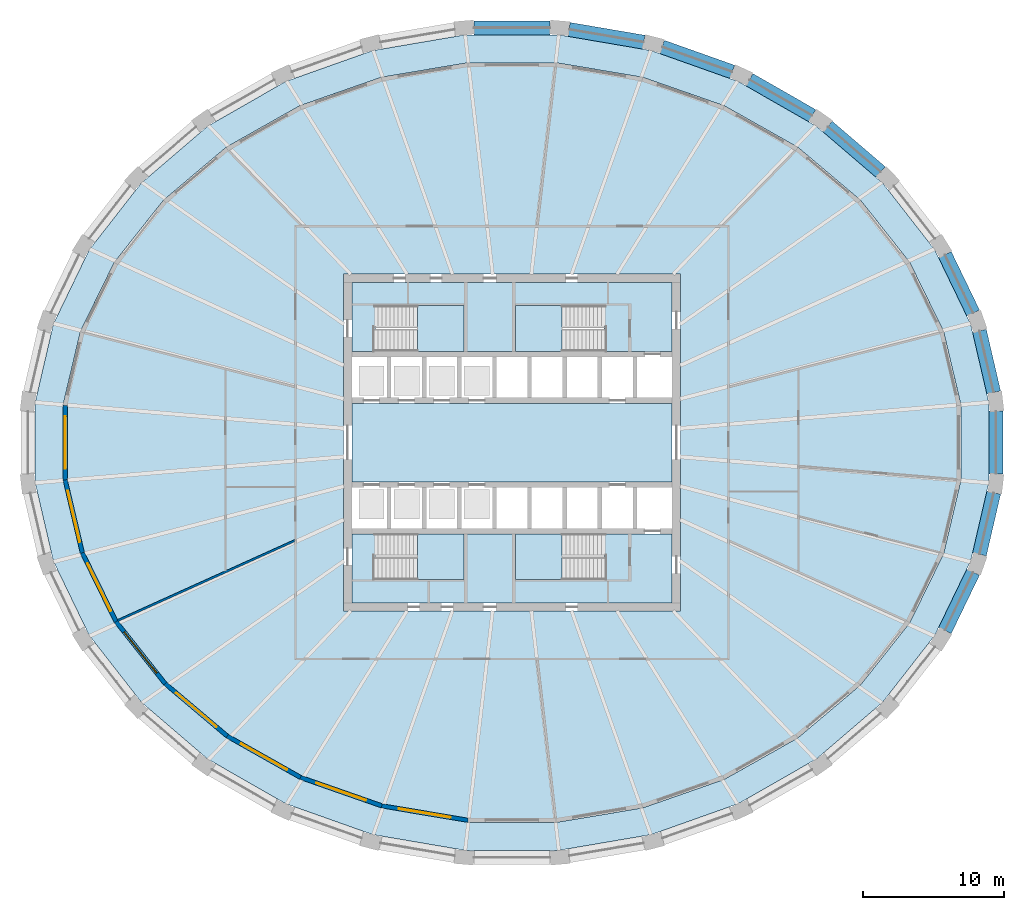
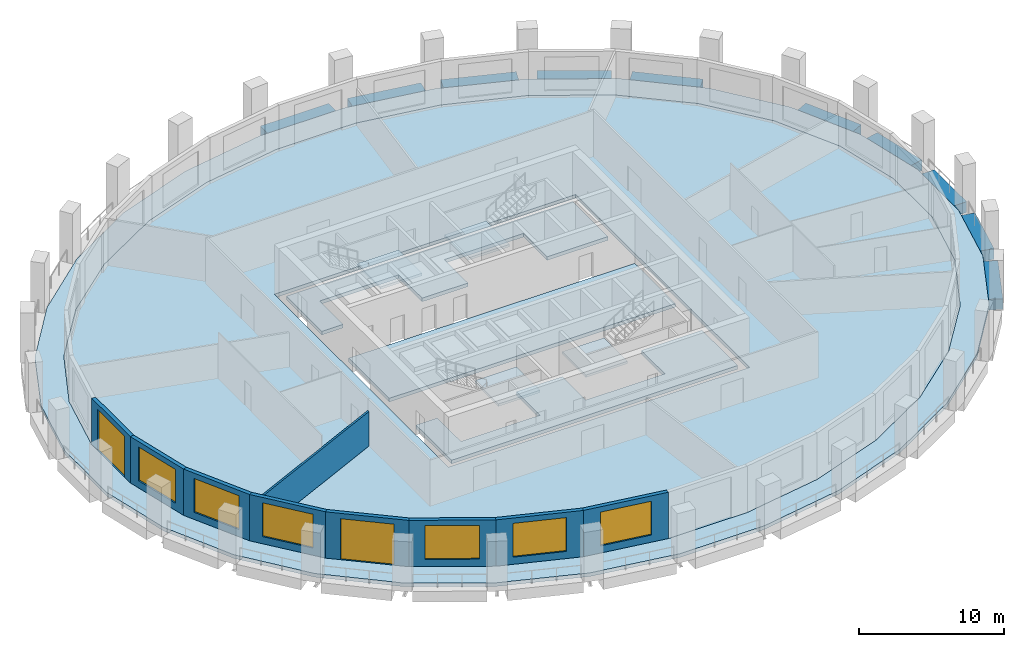
# One storey, part 2 of 10: 10 beams, 9 slabs, 9 walls, 6 windows, 2 doors, 8 openings, 4 elements without a shape of their own.
"""IFC4 building model written with IfcOpenShell, lengths in metres."""

from ifc_helpers import new_model, si_unit, direction, frame, frame_2d, origin, origin_2d, place, context, subcontext, project, spatial, polyline, rectangle, outline, extrude, material, layer, layer_set, material_profile, profile_set, type_object, element, fill, aggregate, save


model = new_model("IFC4")

# Units and contexts
model_context = context("Model", 3, precision=1e-05, world=origin(), true_north=direction((0.0, 1.0)))
body_context = subcontext(model_context, "Body", "Model", "MODEL_VIEW")
ifc_project = project(units=[si_unit("LENGTHUNIT", "METRE"), si_unit("AREAUNIT", "SQUARE_METRE"), si_unit("VOLUMEUNIT", "CUBIC_METRE"), si_unit("PLANEANGLEUNIT", "RADIAN"), si_unit("MASSUNIT", "GRAM", prefix="KILO")], contexts=[model_context])

# Site, building, storey
site_placement = place(None, origin())
site = spatial("IfcSite", under=ifc_project, at=site_placement, CompositionType="ELEMENT")
building_placement = place(site_placement, origin())
building = spatial("IfcBuilding", under=site, at=building_placement, Name="Halqa Exchange Tower", CompositionType="ELEMENT")
storey_placement = place(building_placement, frame((0.0, 0.0, 129.699951171875)))
storey = spatial("IfcBuildingStorey", under=building, at=storey_placement, Name="L29", CompositionType="ELEMENT", Elevation=129.699951171875)

# Beams
ifc_material_1 = material(Name="Concrete C60/75", Category="concrete")
ifc_material_profile = material_profile(ifc_material_1, rectangle(XDim=1.0, YDim=0.89990234375, at=origin_2d()), Name="1000 x 900")
ifc_profile_set = profile_set([ifc_material_profile], Name="Concrete C60/75")
beam_type = type_object("IfcBeamType", Name="RC spandrel beam 1000 x 900 C60/75", PredefinedType="SPANDREL", material=ifc_profile_set)
beam_1_placement = place(storey_placement, frame((34.285888671875, 3.565673828125, -0.449951171875), z_axis=(-0.226051594905, 0.974115330154, 0.0), x_axis=(-0.974115330154, -0.226051594905, 0.0)))
element("IfcBeam", 1, at=beam_1_placement, inside=storey, type_object=beam_type, Name="Spandrel 1", PredefinedType="SPANDREL", context=body_context, shape_type="SweptSolid", body=[
    extrude(rectangle(XDim=1.0, YDim=0.89990234375, at=origin_2d()), origin(), (0.0, 0.0, 1.0), 4.50146484375),
])
beam_2_placement = place(storey_placement, frame((32.821044921875, 9.218994140625, -0.449951171875), z_axis=(-0.435133641471, 0.900365877885, 0.0), x_axis=(-0.900365877885, -0.435133641471, 0.0)))
element("IfcBeam", 2, at=beam_2_placement, inside=storey, type_object=beam_type, Name="Spandrel 2", PredefinedType="SPANDREL", context=body_context, shape_type="SweptSolid", body=[
    extrude(rectangle(XDim=1.0, YDim=0.89990234375, at=origin_2d()), origin(), (0.0, 0.0, 1.0), 4.615478515625),
])
beam_3_placement = place(storey_placement, frame((26.237548828125, 19.256591796875, -0.449951171875), z_axis=(-0.759270476271, 0.650775186884, 0.0), x_axis=(-0.650775186884, -0.759270476271, 0.0)))
element("IfcBeam", 3, at=beam_3_placement, inside=storey, type_object=beam_type, Name="Spandrel 4", PredefinedType="SPANDREL", context=body_context, shape_type="SweptSolid", body=[
    extrude(rectangle(XDim=1.0, YDim=0.89990234375, at=origin_2d()), origin(), (0.0, 0.0, 1.0), 4.968505859375),
])
beam_4_placement = place(storey_placement, frame((21.36767578125, 23.26416015625, -0.449951171875), z_axis=(-0.867738128513, 0.497021669874, 0.0), x_axis=(-0.497021669874, -0.867738128513, 0.0)))
element("IfcBeam", 4, at=beam_4_placement, inside=storey, type_object=beam_type, Name="Spandrel 5", PredefinedType="SPANDREL", context=body_context, shape_type="SweptSolid", body=[
    extrude(rectangle(XDim=1.0, YDim=0.89990234375, at=origin_2d()), origin(), (0.0, 0.0, 1.0), 5.1513671875),
])
beam_5_placement = place(storey_placement, frame((15.6767578125, 26.385009765625, -0.449951171875), z_axis=(-0.9423560926, 0.334611707415, 0.0), x_axis=(-0.334611707415, -0.9423560926, 0.0)))
element("IfcBeam", 5, at=beam_5_placement, inside=storey, type_object=beam_type, Name="Spandrel 6", PredefinedType="SPANDREL", context=body_context, shape_type="SweptSolid", body=[
    extrude(rectangle(XDim=1.0, YDim=0.89990234375, at=origin_2d()), origin(), (0.0, 0.0, 1.0), 5.301513671875),
])
beam_6_placement = place(storey_placement, frame((9.38134765625, 28.497802734375, -0.449951171875), z_axis=(-0.985773716271, 0.168077899527, 0.0), x_axis=(-0.168077899527, -0.985773716271, 0.0)))
element("IfcBeam", 6, at=beam_6_placement, inside=storey, type_object=beam_type, Name="Spandrel 7", PredefinedType="SPANDREL", context=body_context, shape_type="SweptSolid", body=[
    extrude(rectangle(XDim=1.0, YDim=0.89990234375, at=origin_2d()), origin(), (0.0, 0.0, 1.0), 5.400634765625),
])
beam_7_placement = place(storey_placement, frame((2.716796875, 29.518798828125, -0.449951171875), z_axis=(-1.0, 0.0, 0.0), x_axis=(0.0, -1.0, 0.0)))
element("IfcBeam", 7, at=beam_7_placement, inside=storey, type_object=beam_type, Name="Spandrel 8", PredefinedType="SPANDREL", context=body_context, shape_type="SweptSolid", body=[
    extrude(rectangle(XDim=1.0, YDim=0.89990234375, at=origin_2d()), origin(), (0.0, 0.0, 1.0), 5.43359375),
])
beam_8_placement = place(storey_placement, frame((30.812744140625, -13.37451171875, -0.449951171875), z_axis=(0.435133641471, 0.900365877885, 0.0), x_axis=(-0.900365877885, 0.435133641471, 0.0)))
element("IfcBeam", 8, at=beam_8_placement, inside=storey, type_object=beam_type, Name="Spandrel 30", PredefinedType="SPANDREL", context=body_context, shape_type="SweptSolid", body=[
    extrude(rectangle(XDim=1.0, YDim=0.89990234375, at=origin_2d()), origin(), (0.0, 0.0, 1.0), 4.615478515625),
])
beam_9_placement = place(storey_placement, frame((33.268310546875, -7.95068359375, -0.449951171875), z_axis=(0.226051594905, 0.974115330154, 0.0), x_axis=(-0.974115330154, 0.226051594905, 0.0)))
element("IfcBeam", 9, at=beam_9_placement, inside=storey, type_object=beam_type, Name="Spandrel 31", PredefinedType="SPANDREL", context=body_context, shape_type="SweptSolid", body=[
    extrude(rectangle(XDim=1.0, YDim=0.89990234375, at=origin_2d()), origin(), (0.0, 0.0, 1.0), 4.50146484375),
])
beam_10_placement = place(storey_placement, frame((34.438720703125, -2.2314453125, -0.449951171875), z_axis=(0.0, 1.0, 0.0), x_axis=(-1.0, 0.0, 0.0)))
element("IfcBeam", 10, at=beam_10_placement, inside=storey, type_object=beam_type, Name="Spandrel 32", PredefinedType="SPANDREL", context=body_context, shape_type="SweptSolid", body=[
    extrude(rectangle(XDim=1.0, YDim=0.89990234375, at=origin_2d()), origin(), (0.0, 0.0, 1.0), 4.462890625),
])

# Slabs
ifc_layer_1 = layer(ifc_material_1, 0.300048828125)
ifc_layer_set_1 = layer_set([ifc_layer_1], Name="Concrete C60/75")
slab_type_1 = type_object("IfcSlabType", Name="Core floor slab 300", PredefinedType="FLOOR", material=ifc_layer_set_1)
slab_1_placement = place(storey_placement, frame((0.0, 0.0, -0.300048828125)))
element("IfcSlab", 11, at=slab_1_placement, inside=storey, type_object=slab_type_1, Name="Core floor slab", PredefinedType="FLOOR", context=body_context, shape_type="SweptSolid", body=[
    extrude(outline(polyline([(-11.39990234375, 2.800048828125), (11.39990234375, 2.800048828125), (11.39990234375, -2.800048828125), (-11.39990234375, -2.800048828125), (-11.39990234375, 2.800048828125)])), origin(), (0.0, 0.0, 1.0), 0.300048828125),
])
slab_2_placement = place(storey_placement, frame((0.0, 0.0, -0.300048828125)))
element("IfcSlab", 12, at=slab_2_placement, inside=storey, type_object=slab_type_1, Name="Core floor slab", PredefinedType="FLOOR", context=body_context, shape_type="SweptSolid", body=[
    extrude(outline(polyline([(-11.39990234375, 11.39990234375), (11.39990234375, 11.39990234375), (11.39990234375, 6.5), (6.550048828125, 6.5), (6.550048828125, 9.75), (0.25, 9.75), (0.25, 6.5), (-3.39990234375, 6.5), (-3.39990234375, 9.75), (-9.699951171875, 9.75), (-9.699951171875, 6.5), (-11.39990234375, 6.5), (-11.39990234375, 11.39990234375)])), origin(), (0.0, 0.0, 1.0), 0.300048828125),
])
slab_3_placement = place(storey_placement, frame((0.0, 0.0, -0.300048828125)))
element("IfcSlab", 13, at=slab_3_placement, inside=storey, type_object=slab_type_1, Name="Core floor slab", PredefinedType="FLOOR", context=body_context, shape_type="SweptSolid", body=[
    extrude(outline(polyline([(-9.699951171875, -9.75), (-3.39990234375, -9.75), (-3.39990234375, -6.5), (0.25, -6.5), (0.25, -9.75), (6.550048828125, -9.75), (6.550048828125, -6.5), (11.39990234375, -6.5), (11.39990234375, -11.39990234375), (-11.39990234375, -11.39990234375), (-11.39990234375, -6.5), (-9.699951171875, -6.5), (-9.699951171875, -9.75)])), origin(), (0.0, 0.0, 1.0), 0.300048828125),
])
ifc_material_2 = material(Name="Concrete C40/50", Category="concrete")
ifc_layer_2 = layer(ifc_material_2, 0.300048828125)
ifc_layer_set_2 = layer_set([ifc_layer_2], Name="Concrete C40/50")
slab_type_2 = type_object("IfcSlabType", Name="RC floor slab 300", PredefinedType="FLOOR", material=ifc_layer_set_2)
slab_4_placement = place(storey_placement, frame((0.0, 0.0, -0.300048828125)))
element("IfcSlab", 14, at=slab_4_placement, inside=storey, type_object=slab_type_2, Name="Floor slab", PredefinedType="FLOOR", context=body_context, shape_type="SweptSolid", body=[
    extrude(outline(polyline([(31.9521484375, 2.667724609375), (30.72021484375, 7.899169921875), (28.304931640625, 12.823486328125), (24.802490234375, 17.250732421875), (20.34912109375, 21.01171875), (15.1171875, 23.96435546875), (9.3076171875, 25.99658203125), (3.142578125, 27.032470703125), (-3.142578125, 27.032470703125), (-9.3076171875, 25.99658203125), (-15.1171875, 23.96435546875), (-20.34912109375, 21.01171875), (-24.802490234375, 17.250732421875), (-28.304931640625, 12.823486328125), (-30.72021484375, 7.899169921875), (-31.9521484375, 2.667724609375), (-31.9521484375, -2.667724609375), (-30.72021484375, -7.899169921875), (-28.304931640625, -12.823486328125), (-24.802490234375, -17.250732421875), (-20.34912109375, -21.01171875), (-15.1171875, -23.96435546875), (-9.3076171875, -25.99658203125), (-3.142578125, -27.032470703125), (3.142578125, -27.032470703125), (9.3076171875, -25.99658203125), (15.1171875, -23.96435546875), (20.34912109375, -21.01171875), (24.802490234375, -17.250732421875), (28.304931640625, -12.823486328125), (30.72021484375, -7.899169921875), (31.9521484375, -2.667724609375), (31.9521484375, 2.667724609375)]), holes=[polyline([(-12.0, -12.0), (12.0, -12.0), (12.0, 12.0), (-12.0, 12.0), (-12.0, -12.0)])]), origin(), (0.0, 0.0, 1.0), 0.300048828125),
])
ifc_layer_3 = layer(ifc_material_2, 0.300048828125)
ifc_layer_set_3 = layer_set([ifc_layer_3], Name="Concrete C40/50")
slab_type_3 = type_object("IfcSlabType", Name="RC loggia slab 300", PredefinedType="FLOOR", material=ifc_layer_set_3)
slab_5_placement = place(storey_placement, frame((0.0, 0.0, -0.300048828125)))
element("IfcSlab", 15, at=slab_5_placement, inside=storey, type_object=slab_type_3, Name="Loggia slab", PredefinedType="FLOOR", context=body_context, shape_type="SweptSolid", body=[
    extrude(outline(polyline([(33.938720703125, 2.85009765625), (33.938720703125, -2.85009765625), (32.640625, -8.44287109375), (30.092041015625, -13.717041015625), (26.38671875, -18.47021484375), (21.663818359375, -22.518310546875), (16.103271484375, -25.703125), (9.918701171875, -27.89892578125), (3.349609375, -29.018798828125), (-3.349609375, -29.018798828125), (-9.918701171875, -27.89892578125), (-16.103271484375, -25.703125), (-21.663818359375, -22.518310546875), (-26.38671875, -18.47021484375), (-30.092041015625, -13.717041015625), (-32.640625, -8.44287109375), (-33.938720703125, -2.85009765625), (-33.938720703125, 2.85009765625), (-32.640625, 8.44287109375), (-30.092041015625, 13.717041015625), (-26.38671875, 18.47021484375), (-21.663818359375, 22.518310546875), (-16.103271484375, 25.703125), (-9.918701171875, 27.89892578125), (-3.349609375, 29.018798828125), (3.349609375, 29.018798828125), (9.918701171875, 27.89892578125), (16.103271484375, 25.703125), (21.663818359375, 22.518310546875), (26.38671875, 18.47021484375), (30.092041015625, 13.717041015625), (32.640625, 8.44287109375), (33.938720703125, 2.85009765625)]), holes=[polyline([(31.9521484375, 2.667724609375), (30.72021484375, 7.899169921875), (28.304931640625, 12.823486328125), (24.802490234375, 17.250732421875), (20.34912109375, 21.01171875), (15.1171875, 23.96435546875), (9.3076171875, 25.99658203125), (3.142578125, 27.032470703125), (-3.142578125, 27.032470703125), (-9.3076171875, 25.99658203125), (-15.1171875, 23.96435546875), (-20.34912109375, 21.01171875), (-24.802490234375, 17.250732421875), (-28.304931640625, 12.823486328125), (-30.72021484375, 7.899169921875), (-31.9521484375, 2.667724609375), (-31.9521484375, -2.667724609375), (-30.72021484375, -7.899169921875), (-28.304931640625, -12.823486328125), (-24.802490234375, -17.250732421875), (-20.34912109375, -21.01171875), (-15.1171875, -23.96435546875), (-9.3076171875, -25.99658203125), (-3.142578125, -27.032470703125), (3.142578125, -27.032470703125), (9.3076171875, -25.99658203125), (15.1171875, -23.96435546875), (20.34912109375, -21.01171875), (24.802490234375, -17.250732421875), (28.304931640625, -12.823486328125), (30.72021484375, -7.899169921875), (31.9521484375, -2.667724609375), (31.9521484375, 2.667724609375)])]), origin(), (0.0, 0.0, 1.0), 0.300048828125),
])

# Stair, slab
ifc_material_3 = material(Name="Concrete C30/37", Category="concrete")
stair_type = type_object("IfcStairType", Name="Exit stair 1500 wide", PredefinedType="HALF_TURN_STAIR", material=ifc_material_3)
stair_1_placement = place(storey_placement, origin())
stair_1 = element("IfcStair", 16, at=stair_1_placement, inside=storey, type_object=stair_type, Name="Exit stair ST1", PredefinedType="HALF_TURN_STAIR")
ifc_layer_4 = layer(ifc_material_3, 0.199951171875)
ifc_layer_set_4 = layer_set([ifc_layer_4], Name="Concrete C30/37")
slab_type_4 = type_object("IfcSlabType", Name="Stair landing 200 slab", PredefinedType="LANDING", material=ifc_layer_set_4)
slab_6_placement = place(storey_placement, frame((0.0, 0.0, 1.900146484375)))
slab_6 = element("IfcSlab", 17, at=slab_6_placement, type_object=slab_type_4, Name="ST1 landing 1", PredefinedType="LANDING", context=body_context, shape_type="SweptSolid", body=[
    extrude(outline(polyline([(-6.719970703125, 6.5), (-3.39990234375, 6.5), (-3.39990234375, 9.75), (-6.719970703125, 9.75), (-6.719970703125, 6.5)])), origin(), (0.0, 0.0, 1.0), 0.199951171875),
])
aggregate(stair_1, [slab_6])

stair_2_placement = place(storey_placement, origin())
stair_2 = element("IfcStair", 18, at=stair_2_placement, inside=storey, type_object=stair_type, Name="Exit stair ST2", PredefinedType="HALF_TURN_STAIR")
slab_7_placement = place(storey_placement, frame((0.0, 0.0, 1.900146484375)))
slab_7 = element("IfcSlab", 19, at=slab_7_placement, type_object=slab_type_4, Name="ST2 landing 1", PredefinedType="LANDING", context=body_context, shape_type="SweptSolid", body=[
    extrude(outline(polyline([(0.25, 6.5), (3.570068359375, 6.5), (3.570068359375, 9.75), (0.25, 9.75), (0.25, 6.5)])), origin(), (0.0, 0.0, 1.0), 0.199951171875),
])
aggregate(stair_2, [slab_7])

stair_3_placement = place(storey_placement, origin())
stair_3 = element("IfcStair", 20, at=stair_3_placement, inside=storey, type_object=stair_type, Name="Exit stair ST3", PredefinedType="HALF_TURN_STAIR")
slab_8_placement = place(storey_placement, frame((0.0, 0.0, 1.900146484375)))
slab_8 = element("IfcSlab", 21, at=slab_8_placement, type_object=slab_type_4, Name="ST3 landing 1", PredefinedType="LANDING", context=body_context, shape_type="SweptSolid", body=[
    extrude(outline(polyline([(-6.719970703125, -9.75), (-3.39990234375, -9.75), (-3.39990234375, -6.5), (-6.719970703125, -6.5), (-6.719970703125, -9.75)])), origin(), (0.0, 0.0, 1.0), 0.199951171875),
])
aggregate(stair_3, [slab_8])

stair_4_placement = place(storey_placement, origin())
stair_4 = element("IfcStair", 22, at=stair_4_placement, inside=storey, type_object=stair_type, Name="Exit stair ST4", PredefinedType="HALF_TURN_STAIR")
slab_9_placement = place(storey_placement, frame((0.0, 0.0, 1.900146484375)))
slab_9 = element("IfcSlab", 23, at=slab_9_placement, type_object=slab_type_4, Name="ST4 landing 1", PredefinedType="LANDING", context=body_context, shape_type="SweptSolid", body=[
    extrude(outline(polyline([(0.25, -9.75), (3.570068359375, -9.75), (3.570068359375, -6.5), (0.25, -6.5), (0.25, -9.75)])), origin(), (0.0, 0.0, 1.0), 0.199951171875),
])
aggregate(stair_4, [slab_9])

# Wall
ifc_material_4 = material(Name="Fire-rated gypsum board")
ifc_layer_5 = layer(ifc_material_4, 0.14990234375)
ifc_layer_set_5 = layer_set([ifc_layer_5], Name="Fire-rated gypsum board")
wall_type_1 = type_object("IfcWallType", Name="Fire partition EI 60 150", PredefinedType="PARTITIONING", material=ifc_layer_set_5)
wall_1_placement = place(storey_placement, frame((-28.051513671875, -12.664306640625, 0.0), z_axis=(0.0, 0.0, 1.0), x_axis=(0.911350334726, 0.411631591833, 0.0)))
element("IfcWall", 24, at=wall_1_placement, inside=storey, type_object=wall_type_1, Name="L29-PWL-002", PredefinedType="PARTITIONING", context=body_context, shape_type="SweptSolid", body=[
    extrude(outline(polyline([(0.021240234375, -0.074951171875), (1.98486328125, -0.074951171875), (3.9482421875, -0.074951171875), (5.911865234375, -0.074951171875), (7.87548828125, -0.074951171875), (9.8388671875, -0.074951171875), (11.802490234375, -0.074951171875), (13.76611328125, -0.074951171875), (13.813720703125, 0.03076171875), (13.827392578125, 0.024658203125), (13.849609375, 0.07373046875), (13.849609375, 0.074951171875), (12.061279296875, 0.074951171875), (10.27294921875, 0.074951171875), (8.484619140625, 0.074951171875), (8.48388671875, 0.073486328125), (8.48095703125, 0.074951171875), (6.78466796875, 0.074951171875), (5.088623046875, 0.074951171875), (3.392333984375, 0.074951171875), (1.6962890625, 0.074951171875), (0.0, 0.074951171875), (0.0, 0.07421875), (0.002197265625, 0.0009765625), (0.021240234375, -0.074951171875)])), origin(), (0.0, 0.0, 1.0), 2.91015625),
])

# Wall, opening, door
ifc_material_5 = material(Name="Limestone cladding", Category="masonry")
ifc_layer_6 = layer(ifc_material_5, 0.0400390625)
ifc_material_6 = material(Name="Ventilated cavity")
ifc_layer_7 = layer(ifc_material_6, 0.030029296875, ventilated=True)
ifc_material_7 = material(Name="Mineral wool insulation")
ifc_layer_8 = layer(ifc_material_7, 0.10009765625)
ifc_layer_9 = layer(ifc_material_3, 0.10009765625)
ifc_material_8 = material(Name="Internal plaster")
ifc_layer_10 = layer(ifc_material_8, 0.030029296875)
ifc_layer_set_6 = layer_set([ifc_layer_6, ifc_layer_7, ifc_layer_8, ifc_layer_9, ifc_layer_10], Name="Stone-faced insulated wall 300")
wall_type_2 = type_object("IfcWallType", Name="Stone-faced insulated wall 300", PredefinedType="STANDARD", material=ifc_layer_set_6)
wall_2_placement = place(storey_placement, frame((-31.802001953125, 2.650390625, 0.0), z_axis=(0.0, 0.0, 1.0), x_axis=(0.0, -1.0, 0.0)))
wall_2 = element("IfcWall", 25, at=wall_2_placement, inside=storey, type_object=wall_type_2, Name="Glass-line wall 16", PredefinedType="STANDARD", context=body_context, shape_type="SweptSolid", body=[
    extrude(outline(polyline([(-0.017333984375, -0.14990234375), (5.318115234375, -0.14990234375), (5.283447265625, 0.14990234375), (0.017333984375, 0.14990234375), (-0.017333984375, -0.14990234375)])), origin(), (0.0, 0.0, 1.0), 3.900146484375),
])
opening_1_placement = place(wall_2_placement, frame((0.775390625, 0.0, 0.0)))
opening_1 = element("IfcOpeningElement", 26, at=opening_1_placement, cuts=wall_2, Name="Opening LG-F2-04", PredefinedType="OPENING", context=body_context, shape_type="SweptSolid", body=[
    extrude(rectangle(XDim=3.75, YDim=3.449951171875, at=frame_2d((1.875, 1.72509765625))), frame((0.0, 0.162109375, 0.0), z_axis=(0.0, -1.0, 0.0), x_axis=(1.0, 0.0, 0.0)), (0.0, 0.0, 1.0), 0.323974609375),
])
ifc_material_9 = material(Name="Clear low-emissivity glass in aluminium frame", Category="aluminium")
door_type = type_object("IfcDoorType", Name="Glazed sliding loggia door 3750 x 3450", OperationType="DOUBLE_DOOR_SLIDING", PredefinedType="DOOR", material=ifc_material_9)
door_1_placement = place(opening_1_placement, origin())
door_1 = element("IfcDoor", 27, at=door_1_placement, inside=storey, type_object=door_type, Name="Loggia door 4", OperationType="DOUBLE_DOOR_SLIDING", OverallHeight=3.449951171875, OverallWidth=3.75, PredefinedType="DOOR", context=body_context, shape_type="SweptSolid", body=[
    extrude(rectangle(XDim=3.75, YDim=3.449951171875, at=frame_2d((1.875, 1.72509765625))), frame((0.0, 0.02490234375, 0.0), z_axis=(0.0, -1.0, 0.0), x_axis=(1.0, 0.0, 0.0)), (0.0, 0.0, 1.0), 0.050048828125),
])
fill(opening_1, door_1)

# Wall, opening, window
wall_3_placement = place(storey_placement, frame((-31.802001953125, -2.650390625, 0.0), z_axis=(0.0, 0.0, 1.0), x_axis=(0.229227895667, -0.973372781543, 0.0)))
wall_3 = element("IfcWall", 28, at=wall_3_placement, inside=storey, type_object=wall_type_2, Name="Glass-line wall 17", PredefinedType="STANDARD", context=body_context, shape_type="SweptSolid", body=[
    extrude(outline(polyline([(-0.017333984375, -0.14990234375), (5.35693359375, -0.14990234375), (5.3232421875, 0.14990234375), (0.017333984375, 0.14990234375), (-0.017333984375, -0.14990234375)])), origin(), (0.0, 0.0, 1.0), 3.900146484375),
])
opening_2_placement = place(wall_3_placement, frame((0.795166015625, 0.0, 0.60009765625)))
opening_2 = element("IfcOpeningElement", 29, at=opening_2_placement, cuts=wall_3, Name="Opening W-F2-17", PredefinedType="OPENING", context=body_context, shape_type="SweptSolid", body=[
    extrude(rectangle(XDim=3.75, YDim=2.85009765625, at=frame_2d((1.875, 1.425048828125))), frame((0.0, 0.162109375, 0.0), z_axis=(0.0, -1.0, 0.0), x_axis=(1.0, 0.0, 0.0)), (0.0, 0.0, 1.0), 0.323974609375),
])
window_type = type_object("IfcWindowType", Name="Fixed clear glazed window 3750 x 2850", PartitioningType="TRIPLE_PANEL_VERTICAL", PredefinedType="WINDOW", material=ifc_material_9)
window_1_placement = place(opening_2_placement, origin())
window_1 = element("IfcWindow", 30, at=window_1_placement, inside=storey, type_object=window_type, Name="Window 2", OverallHeight=2.85009765625, OverallWidth=3.75, PartitioningType="TRIPLE_PANEL_VERTICAL", PredefinedType="WINDOW", context=body_context, shape_type="SweptSolid", body=[
    extrude(rectangle(XDim=3.75, YDim=2.85009765625, at=frame_2d((1.875, 1.425048828125))), frame((0.0, 0.030029296875, 0.0), z_axis=(0.0, -1.0, 0.0), x_axis=(1.0, 0.0, 0.0)), (0.0, 0.0, 1.0), 0.06005859375),
])
fill(opening_2, window_1)

wall_4_placement = place(storey_placement, frame((-30.577880859375, -7.848388671875, 0.0), z_axis=(0.0, 0.0, 1.0), x_axis=(0.440321465864, -0.897840189956, 0.0)))
wall_4 = element("IfcWall", 31, at=wall_4_placement, inside=storey, type_object=wall_type_2, Name="Glass-line wall 18", PredefinedType="STANDARD", context=body_context, shape_type="SweptSolid", body=[
    extrude(outline(polyline([(-0.016845703125, -0.14990234375), (5.467529296875, -0.14990234375), (5.435302734375, 0.14990234375), (0.016845703125, 0.14990234375), (-0.016845703125, -0.14990234375)])), origin(), (0.0, 0.0, 1.0), 3.900146484375),
])
opening_3_placement = place(wall_4_placement, frame((0.850830078125, 0.0, 0.60009765625)))
opening_3 = element("IfcOpeningElement", 32, at=opening_3_placement, cuts=wall_4, Name="Opening W-F2-18", PredefinedType="OPENING", context=body_context, shape_type="SweptSolid", body=[
    extrude(rectangle(XDim=3.75, YDim=2.85009765625, at=frame_2d((1.875, 1.425048828125))), frame((0.0, 0.162109375, 0.0), z_axis=(0.0, -1.0, 0.0), x_axis=(1.0, 0.0, 0.0)), (0.0, 0.0, 1.0), 0.323974609375),
])
window_2_placement = place(opening_3_placement, origin())
window_2 = element("IfcWindow", 33, at=window_2_placement, inside=storey, type_object=window_type, Name="Window 2", OverallHeight=2.85009765625, OverallWidth=3.75, PartitioningType="TRIPLE_PANEL_VERTICAL", PredefinedType="WINDOW", context=body_context, shape_type="SweptSolid", body=[
    extrude(rectangle(XDim=3.75, YDim=2.85009765625, at=frame_2d((1.875, 1.425048828125))), frame((0.0, 0.030029296875, 0.0), z_axis=(0.0, -1.0, 0.0), x_axis=(1.0, 0.0, 0.0)), (0.0, 0.0, 1.0), 0.06005859375),
])
fill(opening_3, window_2)

wall_5_placement = place(storey_placement, frame((-28.177490234375, -12.742919921875, 0.0), z_axis=(0.0, 0.0, 1.0), x_axis=(0.620464552431, -0.784234492468, 0.0)))
wall_5 = element("IfcWall", 34, at=wall_5_placement, inside=storey, type_object=wall_type_2, Name="Glass-line wall 19", PredefinedType="STANDARD", context=body_context, shape_type="SweptSolid", body=[
    extrude(outline(polyline([(-0.01611328125, -0.14990234375), (5.62939453125, -0.14990234375), (5.59912109375, 0.14990234375), (0.01611328125, 0.14990234375), (-0.01611328125, -0.14990234375)])), origin(), (0.0, 0.0, 1.0), 3.900146484375),
])
opening_4_placement = place(wall_5_placement, frame((0.931884765625, 0.0, 0.60009765625)))
opening_4 = element("IfcOpeningElement", 35, at=opening_4_placement, cuts=wall_5, Name="Opening W-F2-19", PredefinedType="OPENING", context=body_context, shape_type="SweptSolid", body=[
    extrude(rectangle(XDim=3.75, YDim=2.85009765625, at=frame_2d((1.875, 1.425048828125))), frame((0.0, 0.162109375, 0.0), z_axis=(0.0, -1.0, 0.0), x_axis=(1.0, 0.0, 0.0)), (0.0, 0.0, 1.0), 0.323974609375),
])
window_3_placement = place(opening_4_placement, origin())
window_3 = element("IfcWindow", 36, at=window_3_placement, inside=storey, type_object=window_type, Name="Window 2", OverallHeight=2.85009765625, OverallWidth=3.75, PartitioningType="TRIPLE_PANEL_VERTICAL", PredefinedType="WINDOW", context=body_context, shape_type="SweptSolid", body=[
    extrude(rectangle(XDim=3.75, YDim=2.85009765625, at=frame_2d((1.875, 1.425048828125))), frame((0.0, 0.030029296875, 0.0), z_axis=(0.0, -1.0, 0.0), x_axis=(1.0, 0.0, 0.0)), (0.0, 0.0, 1.0), 0.06005859375),
])
fill(opening_4, window_3)

# Wall, opening, door
wall_6_placement = place(storey_placement, frame((-24.694091796875, -17.145751953125, 0.0), z_axis=(0.0, 0.0, 1.0), x_axis=(0.763963973896, -0.645258898884, 0.0)))
wall_6 = element("IfcWall", 37, at=wall_6_placement, inside=storey, type_object=wall_type_2, Name="Glass-line wall 20", PredefinedType="STANDARD", context=body_context, shape_type="SweptSolid", body=[
    extrude(outline(polyline([(-0.01513671875, -0.14990234375), (5.81396484375, -0.14990234375), (5.78564453125, 0.14990234375), (0.01513671875, 0.14990234375), (-0.01513671875, -0.14990234375)])), origin(), (0.0, 0.0, 1.0), 3.900146484375),
])
opening_5_placement = place(wall_6_placement, frame((1.02490234375, 0.0, 0.0)))
opening_5 = element("IfcOpeningElement", 38, at=opening_5_placement, cuts=wall_6, Name="Opening LG-F2-05", PredefinedType="OPENING", context=body_context, shape_type="SweptSolid", body=[
    extrude(rectangle(XDim=3.75, YDim=3.449951171875, at=frame_2d((1.875, 1.72509765625))), frame((0.0, 0.162109375, 0.0), z_axis=(0.0, -1.0, 0.0), x_axis=(1.0, 0.0, 0.0)), (0.0, 0.0, 1.0), 0.323974609375),
])
door_2_placement = place(opening_5_placement, origin())
door_2 = element("IfcDoor", 39, at=door_2_placement, inside=storey, type_object=door_type, Name="Loggia door 5", OperationType="DOUBLE_DOOR_SLIDING", OverallHeight=3.449951171875, OverallWidth=3.75, PredefinedType="DOOR", context=body_context, shape_type="SweptSolid", body=[
    extrude(rectangle(XDim=3.75, YDim=3.449951171875, at=frame_2d((1.875, 1.72509765625))), frame((0.0, 0.02490234375, 0.0), z_axis=(0.0, -1.0, 0.0), x_axis=(1.0, 0.0, 0.0)), (0.0, 0.0, 1.0), 0.050048828125),
])
fill(opening_5, door_2)

# Wall, opening, window
wall_7_placement = place(storey_placement, frame((-20.26318359375, -20.88818359375, 0.0), z_axis=(0.0, 0.0, 1.0), x_axis=(0.87090857883, -0.491445060327, 0.0)))
wall_7 = element("IfcWall", 40, at=wall_7_placement, inside=storey, type_object=wall_type_2, Name="Glass-line wall 21", PredefinedType="STANDARD", context=body_context, shape_type="SweptSolid", body=[
    extrude(outline(polyline([(-0.01416015625, -0.14990234375), (5.99365234375, -0.14990234375), (5.966796875, 0.14990234375), (0.01416015625, 0.14990234375), (-0.01416015625, -0.14990234375)])), origin(), (0.0, 0.0, 1.0), 3.900146484375),
])
opening_6_placement = place(wall_7_placement, frame((1.114990234375, 0.0, 0.60009765625)))
opening_6 = element("IfcOpeningElement", 41, at=opening_6_placement, cuts=wall_7, Name="Opening W-F2-21", PredefinedType="OPENING", context=body_context, shape_type="SweptSolid", body=[
    extrude(rectangle(XDim=3.75, YDim=2.85009765625, at=frame_2d((1.875, 1.425048828125))), frame((0.0, 0.162109375, 0.0), z_axis=(0.0, -1.0, 0.0), x_axis=(1.0, 0.0, 0.0)), (0.0, 0.0, 1.0), 0.323974609375),
])
window_4_placement = place(opening_6_placement, origin())
window_4 = element("IfcWindow", 42, at=window_4_placement, inside=storey, type_object=window_type, Name="Window 2", OverallHeight=2.85009765625, OverallWidth=3.75, PartitioningType="TRIPLE_PANEL_VERTICAL", PredefinedType="WINDOW", context=body_context, shape_type="SweptSolid", body=[
    extrude(rectangle(XDim=3.75, YDim=2.85009765625, at=frame_2d((1.875, 1.425048828125))), frame((0.0, 0.030029296875, 0.0), z_axis=(0.0, -1.0, 0.0), x_axis=(1.0, 0.0, 0.0)), (0.0, 0.0, 1.0), 0.06005859375),
])
fill(opening_6, window_4)

wall_8_placement = place(storey_placement, frame((-15.054931640625, -23.8271484375, 0.0), z_axis=(0.0, 0.0, 1.0), x_axis=(0.943911133508, -0.330199594245, 0.0)))
wall_8 = element("IfcWall", 43, at=wall_8_placement, inside=storey, type_object=wall_type_2, Name="Glass-line wall 22", PredefinedType="STANDARD", context=body_context, shape_type="SweptSolid", body=[
    extrude(outline(polyline([(-0.013427734375, -0.14990234375), (6.141357421875, -0.14990234375), (6.115966796875, 0.14990234375), (0.013427734375, 0.14990234375), (-0.013427734375, -0.14990234375)])), origin(), (0.0, 0.0, 1.0), 3.900146484375),
])
opening_7_placement = place(wall_8_placement, frame((1.189208984375, 0.0, 0.60009765625)))
opening_7 = element("IfcOpeningElement", 44, at=opening_7_placement, cuts=wall_8, Name="Opening W-F2-22", PredefinedType="OPENING", context=body_context, shape_type="SweptSolid", body=[
    extrude(rectangle(XDim=3.75, YDim=2.85009765625, at=frame_2d((1.875, 1.425048828125))), frame((0.0, 0.162109375, 0.0), z_axis=(0.0, -1.0, 0.0), x_axis=(1.0, 0.0, 0.0)), (0.0, 0.0, 1.0), 0.323974609375),
])
window_5_placement = place(opening_7_placement, origin())
window_5 = element("IfcWindow", 45, at=window_5_placement, inside=storey, type_object=window_type, Name="Window 2", OverallHeight=2.85009765625, OverallWidth=3.75, PartitioningType="TRIPLE_PANEL_VERTICAL", PredefinedType="WINDOW", context=body_context, shape_type="SweptSolid", body=[
    extrude(rectangle(XDim=3.75, YDim=2.85009765625, at=frame_2d((1.875, 1.425048828125))), frame((0.0, 0.030029296875, 0.0), z_axis=(0.0, -1.0, 0.0), x_axis=(1.0, 0.0, 0.0)), (0.0, 0.0, 1.0), 0.06005859375),
])
fill(opening_7, window_5)

wall_9_placement = place(storey_placement, frame((-9.27001953125, -25.850830078125, 0.0), z_axis=(0.0, 0.0, 1.0), x_axis=(0.9861811474, -0.165670590368, 0.0)))
wall_9 = element("IfcWall", 46, at=wall_9_placement, inside=storey, type_object=wall_type_2, Name="Glass-line wall 23", PredefinedType="STANDARD", context=body_context, shape_type="SweptSolid", body=[
    extrude(outline(polyline([(-0.0126953125, -0.14990234375), (6.238525390625, -0.14990234375), (6.213623046875, 0.14990234375), (0.0126953125, 0.14990234375), (-0.0126953125, -0.14990234375)])), origin(), (0.0, 0.0, 1.0), 3.900146484375),
])
opening_8_placement = place(wall_9_placement, frame((1.238037109375, 0.0, 0.60009765625)))
opening_8 = element("IfcOpeningElement", 47, at=opening_8_placement, cuts=wall_9, Name="Opening W-F2-23", PredefinedType="OPENING", context=body_context, shape_type="SweptSolid", body=[
    extrude(rectangle(XDim=3.75, YDim=2.85009765625, at=frame_2d((1.875, 1.425048828125))), frame((0.0, 0.162109375, 0.0), z_axis=(0.0, -1.0, 0.0), x_axis=(1.0, 0.0, 0.0)), (0.0, 0.0, 1.0), 0.323974609375),
])
window_6_placement = place(opening_8_placement, origin())
window_6 = element("IfcWindow", 48, at=window_6_placement, inside=storey, type_object=window_type, Name="Window 2", OverallHeight=2.85009765625, OverallWidth=3.75, PartitioningType="TRIPLE_PANEL_VERTICAL", PredefinedType="WINDOW", context=body_context, shape_type="SweptSolid", body=[
    extrude(rectangle(XDim=3.75, YDim=2.85009765625, at=frame_2d((1.875, 1.425048828125))), frame((0.0, 0.030029296875, 0.0), z_axis=(0.0, -1.0, 0.0), x_axis=(1.0, 0.0, 0.0)), (0.0, 0.0, 1.0), 0.06005859375),
])
fill(opening_8, window_6)

save(model, "model.ifc")
